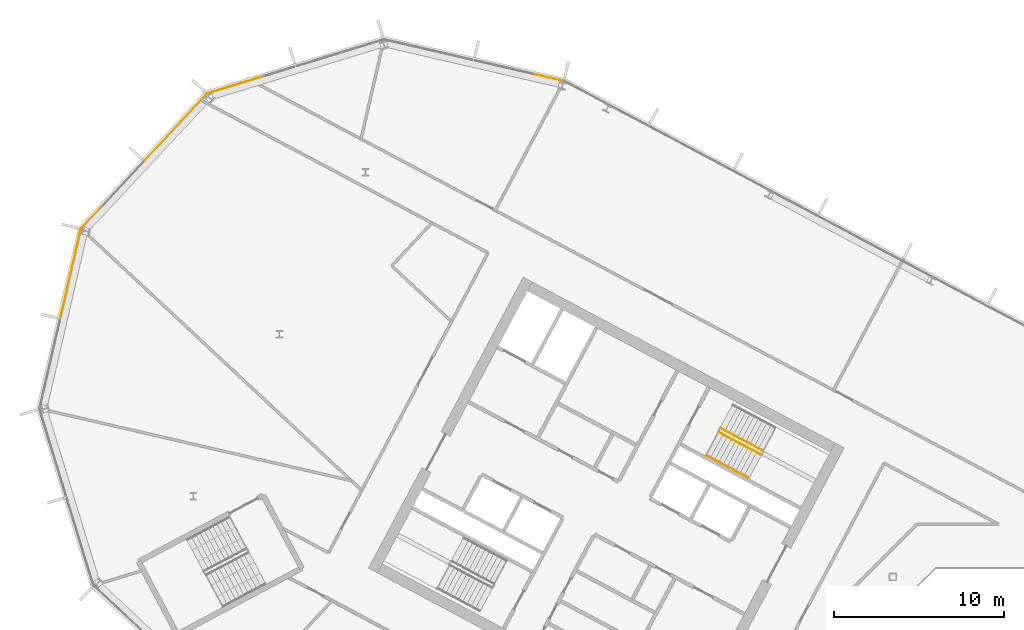
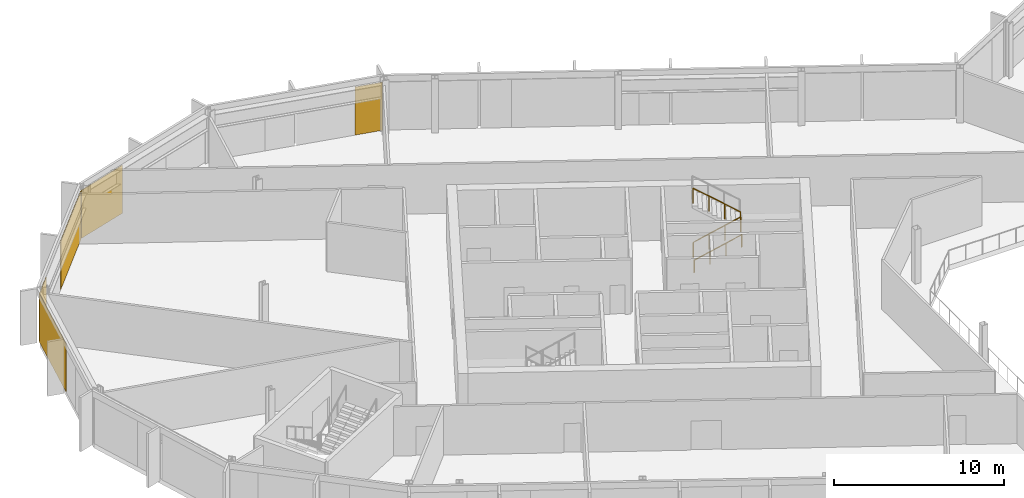
# One storey, part 21 of 26: 5 coverings, 3 railings, 4 elements without a shape of their own.
"""IFC4 building model written with IfcOpenShell, lengths in metres."""

from ifc_helpers import new_model, si_unit, direction, frame, origin, origin_2d, place, context, subcontext, project, spatial, polyline, rectangle, outline, extrude, material, layer, layer_set, type_object, element, aggregate, save


model = new_model("IFC4")

# Units and contexts
model_context = context("Model", 3, precision=1e-05, world=origin(), true_north=direction((0.0, 1.0)))
body_context = subcontext(model_context, "Body", "Model", "MODEL_VIEW")
ifc_project = project(units=[si_unit("LENGTHUNIT", "METRE"), si_unit("AREAUNIT", "SQUARE_METRE"), si_unit("VOLUMEUNIT", "CUBIC_METRE"), si_unit("PLANEANGLEUNIT", "RADIAN"), si_unit("MASSUNIT", "GRAM", prefix="KILO")], contexts=[model_context])

# Site, building, storey
site_placement = place(None, origin())
site = spatial("IfcSite", under=ifc_project, at=site_placement, CompositionType="ELEMENT")
building_placement = place(site_placement, origin())
building = spatial("IfcBuilding", under=site, at=building_placement, Name="Cormorant Relay Tower", CompositionType="ELEMENT")
storey_placement = place(building_placement, frame((0.0, 0.0, 236.39990234375)))
storey = spatial("IfcBuildingStorey", under=building, at=storey_placement, Name="L52", CompositionType="ELEMENT", Elevation=236.39990234375)

# Curtain wall, covering
ifc_material_1 = material(Name="Aluminium 6063-T6 anodised bronze", Category="aluminium")
ifc_layer_1 = layer(ifc_material_1, 0.199951171875)
ifc_layer_set_1 = layer_set([ifc_layer_1], Name="CW1 unitised bronze curtain wall with vertical fins")
curtain_wall_type = type_object("IfcCurtainWallType", Name="CW1 unitised bronze curtain wall with vertical fins", PredefinedType="NOTDEFINED", material=ifc_layer_set_1)
curtain_wall_1_placement = place(storey_placement, origin())
curtain_wall_1 = element("IfcCurtainWall", 1, at=curtain_wall_1_placement, inside=storey, type_object=curtain_wall_type, Name="CW1 curtain wall 10", PredefinedType="NOTDEFINED")
ifc_material_2 = material(Name="Pale bronze anodised aluminium insulated panel", Category="aluminium")
ifc_layer_2 = layer(ifc_material_2, 0.0400390625)
ifc_layer_set_2 = layer_set([ifc_layer_2], Name="CW1 pale bronze insulated panel 40")
covering_type = type_object("IfcCoveringType", Name="CW1 pale bronze insulated panel 40", PredefinedType="CLADDING", material=ifc_layer_set_2)
covering_1_placement = place(storey_placement, frame((-30.76318359375, 39.89404296875, 0.0), z_axis=(0.0, 0.0, 1.0), x_axis=(-0.974370064785, 0.224951054344, 0.0)))
covering_1 = element("IfcCovering", 2, at=covering_1_placement, type_object=covering_type, Name="CW1 panel S00", PredefinedType="CLADDING", context=body_context, shape_type="SweptSolid", body=[
    extrude(rectangle(XDim=1.685302734375, YDim=0.0400390625, at=origin_2d()), origin(), (0.0, 0.0, 1.0), 3.449951171875),
])
aggregate(curtain_wall_1, [covering_1])

curtain_wall_2_placement = place(storey_placement, origin())
curtain_wall_2 = element("IfcCurtainWall", 3, at=curtain_wall_2_placement, inside=storey, type_object=curtain_wall_type, Name="CW1 curtain wall 11", PredefinedType="NOTDEFINED")
covering_2_placement = place(storey_placement, frame((-49.16455078125, 39.474853515625, 0.0), z_axis=(0.0, 0.0, 1.0), x_axis=(-0.956304755963, -0.292371704723, 0.0)))
covering_2 = element("IfcCovering", 4, at=covering_2_placement, type_object=covering_type, Name="CW1 panel S03", PredefinedType="CLADDING", context=body_context, shape_type="SweptSolid", body=[
    extrude(rectangle(XDim=3.560302734375, YDim=0.0400390625, at=origin_2d()), origin(), (0.0, 0.0, 1.0), 3.449951171875),
])
aggregate(curtain_wall_2, [covering_2])

# Curtain wall, coverings
curtain_wall_3_placement = place(storey_placement, origin())
curtain_wall_3 = element("IfcCurtainWall", 5, at=curtain_wall_3_placement, inside=storey, type_object=curtain_wall_type, Name="CW1 curtain wall 12", PredefinedType="NOTDEFINED")
covering_3_placement = place(storey_placement, frame((-52.72900390625, 36.961181640625, 0.0), z_axis=(0.0, 0.0, 1.0), x_axis=(-0.681998360062, -0.731353701619, 0.0)))
covering_3 = element("IfcCovering", 6, at=covering_3_placement, type_object=covering_type, Name="CW1 panel S00", PredefinedType="CLADDING", context=body_context, shape_type="SweptSolid", body=[
    extrude(rectangle(XDim=5.28515625, YDim=0.0400390625, at=origin_2d()), origin(), (0.0, 0.0, 1.0), 3.449951171875),
])
covering_4_placement = place(storey_placement, frame((-57.68896484375, 31.642333984375, 0.0), z_axis=(0.0, 0.0, 1.0), x_axis=(-0.681998360062, -0.731353701619, 0.0)))
covering_4 = element("IfcCovering", 7, at=covering_4_placement, type_object=covering_type, Name="CW1 panel S02", PredefinedType="CLADDING", context=body_context, shape_type="SweptSolid", body=[
    extrude(rectangle(XDim=1.76025390625, YDim=0.0400390625, at=origin_2d()), origin(), (0.0, 0.0, 1.0), 3.449951171875),
])
aggregate(curtain_wall_3, [covering_3, covering_4])

# Curtain wall, covering
curtain_wall_4_placement = place(storey_placement, origin())
curtain_wall_4 = element("IfcCurtainWall", 8, at=curtain_wall_4_placement, inside=storey, type_object=curtain_wall_type, Name="CW1 curtain wall 13", PredefinedType="NOTDEFINED")
covering_5_placement = place(storey_placement, frame((-58.905517578125, 28.341796875, 0.0), z_axis=(0.0, 0.0, 1.0), x_axis=(-0.224951054344, -0.974370064785, 0.0)))
covering_5 = element("IfcCovering", 9, at=covering_5_placement, type_object=covering_type, Name="CW1 panel S00", PredefinedType="CLADDING", context=body_context, shape_type="SweptSolid", body=[
    extrude(rectangle(XDim=5.28515625, YDim=0.0400390625, at=origin_2d()), origin(), (0.0, 0.0, 1.0), 3.449951171875),
])
aggregate(curtain_wall_4, [covering_5])

# Railings
ifc_material_3 = material(Name="Steel ASTM A572 Grade 50 (Fy 345 MPa)", Category="steel")
railing_type_1 = type_object("IfcRailingType", Name="Stair guard 1100", PredefinedType="GUARDRAIL", material=ifc_material_3)
railing_1_placement = place(storey_placement, frame((-20.75048828125, 19.017822265625, 0.177490234375)))
element("IfcRailing", 10, at=railing_1_placement, inside=storey, type_object=railing_type_1, Name="L52 A1 stair guard 1", PredefinedType="GUARDRAIL", context=body_context, shape_type="SweptSolid", body=[
    extrude(outline(polyline([(0.022216796875, 0.00927734375), (0.00927734375, 0.022216796875), (-0.00927734375, 0.022216796875), (-0.022216796875, 0.00927734375), (-0.022216796875, -0.00927734375), (-0.00927734375, -0.022216796875), (0.00927734375, -0.022216796875), (0.022216796875, -0.00927734375), (0.022216796875, 0.00927734375)])), frame((0.0, 0.0, 1.076171875), z_axis=(0.746001213114, -0.396649272309, 0.534931345884), x_axis=(0.469465464807, 0.882950835185, 0.0)), (0.0, 0.0, 1.0), 3.31396484375),
    extrude(outline(polyline([(0.019287109375, 0.008056640625), (0.008056640625, 0.019287109375), (-0.008056640625, 0.019287109375), (-0.019287109375, 0.008056640625), (-0.019287109375, -0.008056640625), (-0.008056640625, -0.019287109375), (0.008056640625, -0.019287109375), (0.019287109375, -0.008056640625), (0.019287109375, 0.008056640625)])), origin(), (0.0, 0.0, 1.0), 1.052001953125),
    extrude(outline(polyline([(0.019287109375, 0.008056640625), (0.008056640625, 0.019287109375), (-0.008056640625, 0.019287109375), (-0.019287109375, 0.008056640625), (-0.019287109375, -0.008056640625), (-0.008056640625, -0.019287109375), (0.008056640625, -0.019287109375), (0.019287109375, -0.008056640625), (0.019287109375, 0.008056640625)])), frame((0.823974609375, -0.438232421875, 0.5908203125)), (0.0, 0.0, 1.0), 1.052001953125),
    extrude(outline(polyline([(0.019287109375, 0.008056640625), (0.008056640625, 0.019287109375), (-0.008056640625, 0.019287109375), (-0.019287109375, 0.008056640625), (-0.019287109375, -0.008056640625), (-0.008056640625, -0.019287109375), (0.008056640625, -0.019287109375), (0.019287109375, -0.008056640625), (0.019287109375, 0.008056640625)])), frame((1.648193359375, -0.876220703125, 1.181884765625)), (0.0, 0.0, 1.0), 1.052001953125),
    extrude(outline(polyline([(0.019287109375, 0.008056640625), (0.008056640625, 0.019287109375), (-0.008056640625, 0.019287109375), (-0.019287109375, 0.008056640625), (-0.019287109375, -0.008056640625), (-0.008056640625, -0.019287109375), (0.008056640625, -0.019287109375), (0.019287109375, -0.008056640625), (0.019287109375, 0.008056640625)])), frame((2.47216796875, -1.314453125, 1.772705078125)), (0.0, 0.0, 1.0), 1.052001953125),
])
railing_2_placement = place(storey_placement, frame((-18.160888671875, 17.924072265625, 2.12744140625)))
element("IfcRailing", 11, at=railing_2_placement, inside=storey, type_object=railing_type_1, Name="L52 A1 stair guard 3", PredefinedType="GUARDRAIL", context=body_context, shape_type="SweptSolid", body=[
    extrude(outline(polyline([(0.022216796875, 0.00927734375), (0.00927734375, 0.022216796875), (-0.00927734375, 0.022216796875), (-0.022216796875, 0.00927734375), (-0.022216796875, -0.00927734375), (-0.00927734375, -0.022216796875), (0.00927734375, -0.022216796875), (0.022216796875, -0.00927734375), (0.022216796875, 0.00927734375)])), frame((0.0, 0.0, 1.076171875), z_axis=(-0.746033882577, 0.396627473466, 0.534901947407), x_axis=(-0.469429322983, -0.882970050864, 0.0)), (0.0, 0.0, 1.0), 3.31396484375),
    extrude(outline(polyline([(0.019287109375, 0.008056640625), (0.008056640625, 0.019287109375), (-0.008056640625, 0.019287109375), (-0.019287109375, 0.008056640625), (-0.019287109375, -0.008056640625), (-0.008056640625, -0.019287109375), (0.008056640625, -0.019287109375), (0.019287109375, -0.008056640625), (0.019287109375, 0.008056640625)])), origin(), (0.0, 0.0, 1.0), 1.052001953125),
    extrude(outline(polyline([(0.019287109375, 0.008056640625), (0.008056640625, 0.019287109375), (-0.008056640625, 0.019287109375), (-0.019287109375, 0.008056640625), (-0.019287109375, -0.008056640625), (-0.008056640625, -0.019287109375), (0.008056640625, -0.019287109375), (0.019287109375, -0.008056640625), (0.019287109375, 0.008056640625)])), frame((-0.82421875, 0.438232421875, 0.5908203125)), (0.0, 0.0, 1.0), 1.052001953125),
    extrude(outline(polyline([(0.019287109375, 0.008056640625), (0.008056640625, 0.019287109375), (-0.008056640625, 0.019287109375), (-0.019287109375, 0.008056640625), (-0.019287109375, -0.008056640625), (-0.008056640625, -0.019287109375), (0.008056640625, -0.019287109375), (0.019287109375, -0.008056640625), (0.019287109375, 0.008056640625)])), frame((-1.648193359375, 0.876220703125, 1.181884765625)), (0.0, 0.0, 1.0), 1.052001953125),
    extrude(outline(polyline([(0.019287109375, 0.008056640625), (0.008056640625, 0.019287109375), (-0.008056640625, 0.019287109375), (-0.019287109375, 0.008056640625), (-0.019287109375, -0.008056640625), (-0.008056640625, -0.019287109375), (0.008056640625, -0.019287109375), (0.019287109375, -0.008056640625), (0.019287109375, 0.008056640625)])), frame((-2.472412109375, 1.314453125, 1.772705078125)), (0.0, 0.0, 1.0), 1.052001953125),
])
ifc_material_4 = material(Name="Steel ASTM A572 Grade 50 (Fy 345 MPa)", Category="steel")
railing_type_2 = type_object("IfcRailingType", Name="Stair handrail 900", PredefinedType="HANDRAIL", material=ifc_material_4)
railing_3_placement = place(storey_placement, frame((-21.478271484375, 17.6494140625, 0.177490234375)))
element("IfcRailing", 12, at=railing_3_placement, inside=storey, type_object=railing_type_2, Name="L52 A1 stair handrail 1", PredefinedType="HANDRAIL", context=body_context, shape_type="SweptSolid", body=[
    extrude(outline(polyline([(0.022216796875, 0.00927734375), (0.00927734375, 0.022216796875), (-0.00927734375, 0.022216796875), (-0.022216796875, 0.00927734375), (-0.022216796875, -0.00927734375), (-0.00927734375, -0.022216796875), (0.00927734375, -0.022216796875), (0.022216796875, -0.00927734375), (0.022216796875, 0.00927734375)])), frame((0.0, 0.0, 0.8759765625), z_axis=(0.746012083385, -0.396689549623, 0.534886317514), x_axis=(0.469497295046, 0.882933910293, 0.0)), (0.0, 0.0, 1.0), 3.314208984375),
    extrude(outline(polyline([(0.019287109375, 0.008056640625), (0.008056640625, 0.019287109375), (-0.008056640625, 0.019287109375), (-0.019287109375, 0.008056640625), (-0.019287109375, -0.008056640625), (-0.008056640625, -0.019287109375), (0.008056640625, -0.019287109375), (0.019287109375, -0.008056640625), (0.019287109375, 0.008056640625)])), origin(), (0.0, 0.0, 1.0), 0.851806640625),
    extrude(outline(polyline([(0.019287109375, 0.008056640625), (0.008056640625, 0.019287109375), (-0.008056640625, 0.019287109375), (-0.019287109375, 0.008056640625), (-0.019287109375, -0.008056640625), (-0.008056640625, -0.019287109375), (0.008056640625, -0.019287109375), (0.019287109375, -0.008056640625), (0.019287109375, 0.008056640625)])), frame((0.82421875, -0.438232421875, 0.5908203125)), (0.0, 0.0, 1.0), 0.851806640625),
    extrude(outline(polyline([(0.019287109375, 0.008056640625), (0.008056640625, 0.019287109375), (-0.008056640625, 0.019287109375), (-0.019287109375, 0.008056640625), (-0.019287109375, -0.008056640625), (-0.008056640625, -0.019287109375), (0.008056640625, -0.019287109375), (0.019287109375, -0.008056640625), (0.019287109375, 0.008056640625)])), frame((1.648193359375, -0.87646484375, 1.181884765625)), (0.0, 0.0, 1.0), 0.851806640625),
    extrude(outline(polyline([(0.019287109375, 0.008056640625), (0.008056640625, 0.019287109375), (-0.008056640625, 0.019287109375), (-0.019287109375, 0.008056640625), (-0.019287109375, -0.008056640625), (-0.008056640625, -0.019287109375), (0.008056640625, -0.019287109375), (0.019287109375, -0.008056640625), (0.019287109375, 0.008056640625)])), frame((2.472412109375, -1.314697265625, 1.772705078125)), (0.0, 0.0, 1.0), 0.851806640625),
])

save(model, "model.ifc")
